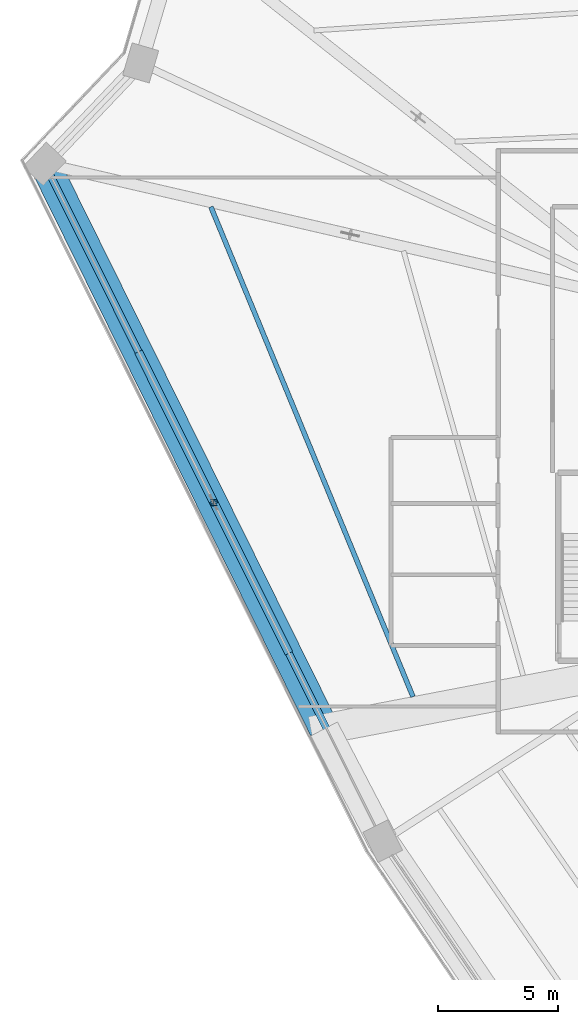
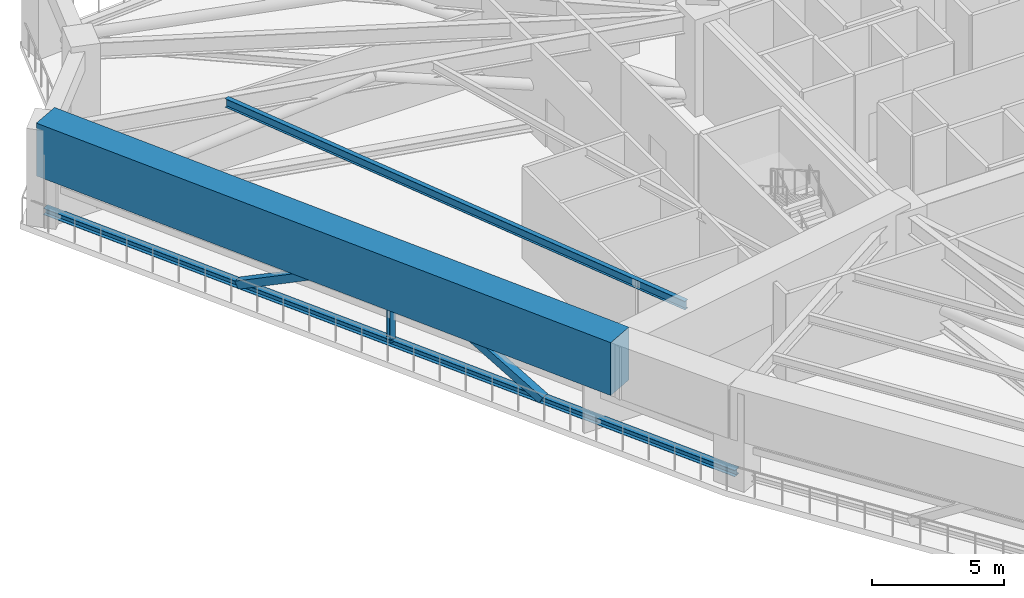
# One storey, part 5 of 27: 4 members, 2 beams.
"""IFC4 building model written with IfcOpenShell, lengths in metres."""

from ifc_helpers import new_model, si_unit, direction, frame, origin, origin_2d, place, context, subcontext, project, spatial, rectangle, hollow_rectangle, i_section, extrude, source, transform, mapped, material, material_profile, profile_set, type_object, element, save


model = new_model("IFC4")

# Units and contexts
model_context = context("Model", 3, precision=1e-05, world=origin(), true_north=direction((0.0, 1.0)))
body_context = subcontext(model_context, "Body", "Model", "MODEL_VIEW")
ifc_project = project(units=[si_unit("LENGTHUNIT", "METRE"), si_unit("AREAUNIT", "SQUARE_METRE"), si_unit("VOLUMEUNIT", "CUBIC_METRE"), si_unit("PLANEANGLEUNIT", "RADIAN"), si_unit("MASSUNIT", "GRAM", prefix="KILO")], contexts=[model_context])

# Site, building, storey
site_placement = place(None, origin())
site = spatial("IfcSite", under=ifc_project, at=site_placement, CompositionType="ELEMENT")
building_placement = place(site_placement, origin())
building = spatial("IfcBuilding", under=site, at=building_placement, Name="Liaohun Quay Tower", CompositionType="ELEMENT")
storey_placement = place(building_placement, frame((0.0, 0.0, 185.25)))
storey = spatial("IfcBuildingStorey", under=building, at=storey_placement, Name="L48", CompositionType="ELEMENT", Elevation=185.25)

# Member
ifc_material_1 = material(Name="Steel Q355D", Category="steel")
ifc_material_profile_1 = material_profile(ifc_material_1, i_section(OverallWidth=0.25, OverallDepth=0.25, WebThickness=0.009033203125, FlangeThickness=0.013916015625, at=origin_2d()), Name="HW250x250x9x14")
ifc_profile_set_1 = profile_set([ifc_material_profile_1], Name="Steel Q355D")
member_type_1 = type_object("IfcMemberType", Name="MEM-BLT-PST", PredefinedType="POST", material=ifc_profile_set_1)
shared_shape_1 = source(origin(), body_context, "Body", "SweptSolid", [
    extrude(i_section(OverallWidth=0.25, OverallDepth=0.25, WebThickness=0.009033203125, FlangeThickness=0.013916015625, at=origin_2d()), origin(), (0.0, 0.0, 1.0), 3.56982421875),
])
member_1_placement = place(storey_placement, frame((32.611083984375, 53.281982421875, 0.35009765625), z_axis=(0.0, 0.0, 1.0), x_axis=(1.0, 0.0, 0.0)))
element("IfcMember", 1, at=member_1_placement, inside=storey, type_object=member_type_1, Name="L48 Belt Truss Vertical Post BP-1-02", PredefinedType="POST", context=body_context, shape_type="MappedRepresentation", body=[
    mapped(shared_shape_1, transform((0.0, 0.0, 0.0), x_axis=(1.0, 0.0, 0.0), y_axis=(0.0, 1.0, 0.0), z_axis=(0.0, 0.0, 1.0), scale=1.0)),
])

# Beams
ifc_material_2 = material(Name="Concrete C60", Category="concrete")
ifc_material_profile_2 = material_profile(ifc_material_2, rectangle(XDim=1.25, YDim=2.449951171875, at=origin_2d()), Name="RC1250x2450")
ifc_profile_set_2 = profile_set([ifc_material_profile_2], Name="Concrete C60")
beam_type_1 = type_object("IfcBeamType", Name="BM-TRF-1", PredefinedType="BEAM", material=ifc_profile_set_2)
shared_shape_2 = source(origin(), body_context, "Body", "SweptSolid", [
    extrude(rectangle(XDim=1.25, YDim=2.449951171875, at=origin_2d()), origin(), (0.0, 0.0, 1.0), 26.22216796875),
])
beam_1_placement = place(storey_placement, frame((37.201904296875, 43.864013671875, 3.5), z_axis=(-0.443205619598, 0.896419979004, 0.0), x_axis=(-0.896419979004, -0.443205619598, 0.0)))
element("IfcBeam", 2, at=beam_1_placement, inside=storey, type_object=beam_type_1, Name="L48 Zone-Break Transfer Spandrel PC02-PC03", PredefinedType="BEAM", context=body_context, shape_type="MappedRepresentation", body=[
    mapped(shared_shape_2, transform((0.0, 0.0, 0.0), x_axis=(1.0, 0.0, 0.0), y_axis=(0.0, 1.0, 0.0), z_axis=(0.0, 0.0, 1.0), scale=1.0)),
])
ifc_material_profile_3 = material_profile(ifc_material_1, i_section(OverallWidth=0.199951171875, OverallDepth=0.39990234375, WebThickness=0.008056640625, FlangeThickness=0.012939453125, at=origin_2d()), Name="HN400x200x8x13")
ifc_profile_set_3 = profile_set([ifc_material_profile_3], Name="Steel Q355D")
beam_type_2 = type_object("IfcBeamType", Name="BM-SEC-J2", PredefinedType="JOIST", material=ifc_profile_set_3)
shared_shape_3 = source(origin(), body_context, "Body", "SweptSolid", [
    extrude(i_section(OverallWidth=0.199951171875, OverallDepth=0.39990234375, WebThickness=0.008056640625, FlangeThickness=0.012939453125, at=origin_2d()), origin(), (0.0, 0.0, 1.0), 22.03759765625),
])
beam_2_placement = place(storey_placement, frame((40.89794921875, 45.2060546875, 4.02001953125), z_axis=(-0.381394945503, 0.924412189202, 0.0), x_axis=(-0.924412189202, -0.381394945503, 0.0)))
element("IfcBeam", 3, at=beam_2_placement, inside=storey, type_object=beam_type_2, Name="L48 Wing Secondary Floor Joist SJ-05", PredefinedType="JOIST", context=body_context, shape_type="MappedRepresentation", body=[
    mapped(shared_shape_3, transform((0.0, 0.0, 0.0), x_axis=(1.0, 0.0, 0.0), y_axis=(0.0, 1.0, 0.0), z_axis=(0.0, 0.0, 1.0), scale=1.0)),
])

# Members
ifc_material_profile_4 = material_profile(ifc_material_1, i_section(OverallWidth=0.300048828125, OverallDepth=0.300048828125, WebThickness=0.010009765625, FlangeThickness=0.014892578125, at=origin_2d()), Name="HW300x300x10x15")
ifc_profile_set_4 = profile_set([ifc_material_profile_4], Name="Steel Q355D")
member_type_2 = type_object("IfcMemberType", Name="MEM-BLT-CHD", PredefinedType="CHORD", material=ifc_profile_set_4)
shared_shape_4 = source(origin(), body_context, "Body", "SweptSolid", [
    extrude(i_section(OverallWidth=0.300048828125, OverallDepth=0.300048828125, WebThickness=0.010009765625, FlangeThickness=0.014892578125, at=origin_2d()), origin(), (0.0, 0.0, 1.0), 31.490966796875),
])
member_2_placement = place(storey_placement, frame((39.64208984375, 39.193115234375, 0.35009765625), z_axis=(-0.446540533784, 0.894763405425, 0.0), x_axis=(-0.894763405425, -0.446540533784, 0.0)))
element("IfcMember", 4, at=member_2_placement, inside=storey, type_object=member_type_2, Name="L48 Belt Truss Bottom Chord BC-1-02", PredefinedType="CHORD", context=body_context, shape_type="MappedRepresentation", body=[
    mapped(shared_shape_4, transform((0.0, 0.0, 0.0), x_axis=(1.0, 0.0, 0.0), y_axis=(0.0, 1.0, 0.0), z_axis=(0.0, 0.0, 1.0), scale=1.0)),
])
ifc_material_profile_5 = material_profile(ifc_material_1, hollow_rectangle(XDim=0.35009765625, YDim=0.35009765625, WallThickness=0.01611328125, at=origin_2d()), Name="SHS350x350x16")
ifc_profile_set_5 = profile_set([ifc_material_profile_5], Name="Steel Q355D")
member_type_3 = type_object("IfcMemberType", Name="MEM-BLT-DG2", PredefinedType="BRACE", material=ifc_profile_set_5)
shared_shape_5 = source(origin(), body_context, "Body", "SweptSolid", [
    extrude(hollow_rectangle(XDim=0.35009765625, YDim=0.35009765625, WallThickness=0.01611328125, at=origin_2d()), origin(), (0.0, 0.0, 1.0), 7.7939453125),
])
member_3_placement = place(storey_placement, frame((35.705078125, 47.0830078125, 0.35009765625), z_axis=(-0.396980117038, 0.795369853367, 0.458032294747), x_axis=(-0.894744113781, -0.446579187663, 0.0)))
element("IfcMember", 5, at=member_3_placement, inside=storey, type_object=member_type_3, Name="L48 Belt Truss Diagonal BD-02A", PredefinedType="BRACE", context=body_context, shape_type="MappedRepresentation", body=[
    mapped(shared_shape_5, transform((0.0, 0.0, 0.0), x_axis=(1.0, 0.0, 0.0), y_axis=(0.0, 1.0, 0.0), z_axis=(0.0, 0.0, 1.0), scale=1.0)),
])
shared_shape_6 = source(origin(), body_context, "Body", "SweptSolid", [
    extrude(hollow_rectangle(XDim=0.35009765625, YDim=0.35009765625, WallThickness=0.01611328125, at=origin_2d()), origin(), (0.0, 0.0, 1.0), 7.79296875),
])
member_4_placement = place(storey_placement, frame((32.611083984375, 53.281982421875, 3.919921875), z_axis=(-0.397019682652, 0.795323813105, -0.458077945217), x_axis=(-0.894715997482, -0.446635515661, 0.0)))
element("IfcMember", 6, at=member_4_placement, inside=storey, type_object=member_type_3, Name="L48 Belt Truss Diagonal BD-02B", PredefinedType="BRACE", context=body_context, shape_type="MappedRepresentation", body=[
    mapped(shared_shape_6, transform((0.0, 0.0, 0.0), x_axis=(1.0, 0.0, 0.0), y_axis=(0.0, 1.0, 0.0), z_axis=(0.0, 0.0, 1.0), scale=1.0)),
])

save(model, "model.ifc")
